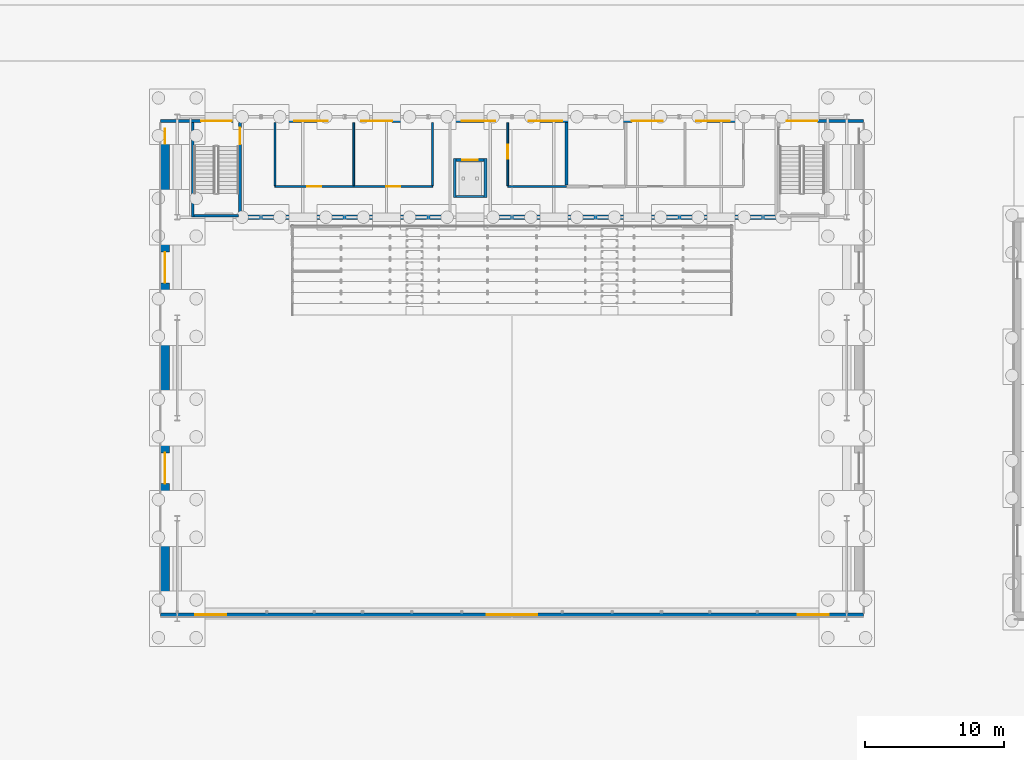
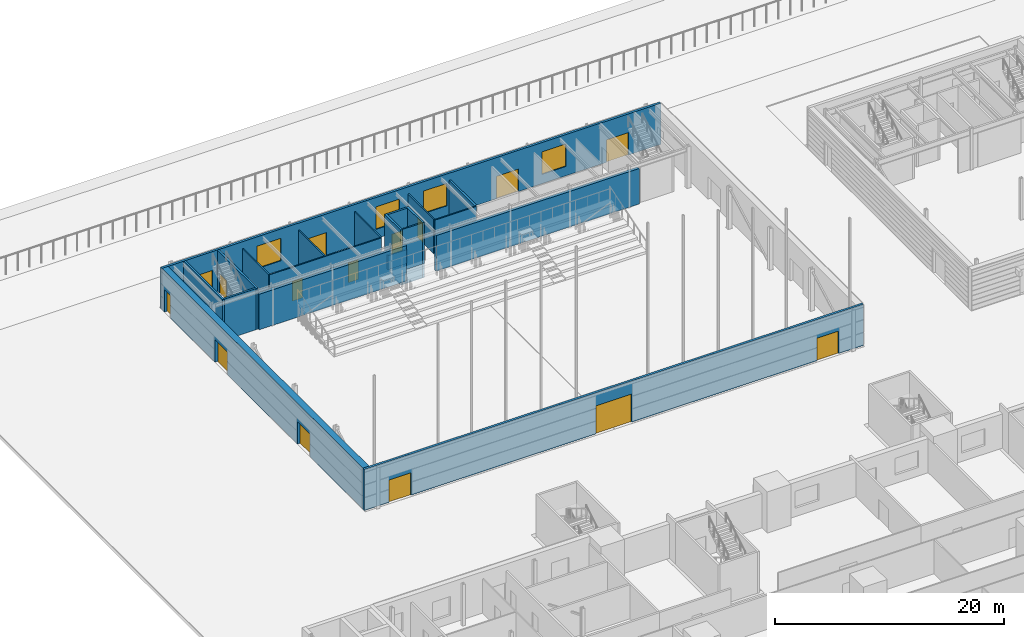
# One storey, part 85 of 139: 23 walls, 15 doors, 4 windows, 19 openings.
"""IFC4 building model written with IfcOpenShell, lengths in metres."""

from ifc_helpers import new_model, si_unit, direction, frame, frame_2d, origin, place, context, subcontext, project, spatial, rectangle, extrude, material, layer, layer_set, type_object, element, fill, save


model = new_model("IFC4")

# Units and contexts
model_context = context("Model", 3, precision=1e-05, world=origin(), true_north=direction((0.0, 1.0)))
body_context = subcontext(model_context, "Body", "Model", "MODEL_VIEW")
ifc_project = project(units=[si_unit("LENGTHUNIT", "METRE"), si_unit("AREAUNIT", "SQUARE_METRE"), si_unit("VOLUMEUNIT", "CUBIC_METRE"), si_unit("PLANEANGLEUNIT", "RADIAN"), si_unit("MASSUNIT", "GRAM", prefix="KILO")], contexts=[model_context])

# Site, building, storey
site_placement = place(None, origin())
site = spatial("IfcSite", under=ifc_project, at=site_placement, CompositionType="ELEMENT")
building_placement = place(site_placement, origin())
building = spatial("IfcBuilding", under=site, at=building_placement, Name="Verrick Yard Athletic Hall", CompositionType="ELEMENT")
storey_placement = place(building_placement, origin())
storey = spatial("IfcBuildingStorey", under=building, at=storey_placement, Name="L00", CompositionType="ELEMENT", Elevation=0.0)

# Wall
ifc_material_1 = material(Name="Concrete 35 MPa", Category="concrete")
ifc_layer_1 = layer(ifc_material_1, 0.199951171875)
ifc_layer_set_1 = layer_set([ifc_layer_1], Name="Enclosure wall CR200")
wall_type_1 = type_object("IfcWallType", Name="Enclosure wall CR200", PredefinedType="SOLIDWALL", material=ifc_layer_set_1)
wall_1_placement = place(storey_placement, frame((29.10009765625, 100.800048828125, 0.0), z_axis=(0.0, 0.0, 1.0), x_axis=(0.0, 1.0, 0.0)))
element("IfcWall", 1, at=wall_1_placement, inside=storey, type_object=wall_type_1, Name="CORE-HB-W-WW-L00", PredefinedType="SOLIDWALL", context=body_context, shape_type="SweptSolid", body=[
    extrude(rectangle(XDim=6.782958984375, YDim=0.199951171875, at=frame_2d((3.3916015625, 0.0))), origin(), (0.0, 0.0, 1.0), 4.39990234375),
])

# Wall, opening, door
wall_2_placement = place(storey_placement, frame((32.5, 100.800048828125, 0.0), z_axis=(0.0, 0.0, 1.0), x_axis=(0.0, 1.0, 0.0)))
wall_2 = element("IfcWall", 2, at=wall_2_placement, inside=storey, type_object=wall_type_1, Name="CORE-HB-W-WE-L00", PredefinedType="SOLIDWALL", context=body_context, shape_type="SweptSolid", body=[
    extrude(rectangle(XDim=6.782958984375, YDim=0.199951171875, at=frame_2d((3.3916015625, 0.0))), origin(), (0.0, 0.0, 1.0), 4.39990234375),
])
opening_1_placement = place(wall_2_placement, frame((5.22509765625, 0.0, 0.0)))
opening_1 = element("IfcOpeningElement", 3, at=opening_1_placement, cuts=wall_2, Name="Opening SD1", PredefinedType="OPENING", context=body_context, shape_type="SweptSolid", body=[
    extrude(rectangle(XDim=1.199951171875, YDim=2.10009765625, at=frame_2d((0.60009765625, 1.050048828125))), frame((0.0, 0.10986328125, 0.0), z_axis=(0.0, -1.0, 0.0), x_axis=(1.0, 0.0, 0.0)), (0.0, 0.0, 1.0), 0.219970703125),
])
ifc_material_2 = material(Name="Hollow metal door leaf")
door_type_1 = type_object("IfcDoorType", Name="Core door SD1 1200x2100", OperationType="NOTDEFINED", PredefinedType="DOOR", material=ifc_material_2)
door_1_placement = place(opening_1_placement, origin())
door_1 = element("IfcDoor", 4, at=door_1_placement, inside=storey, type_object=door_type_1, Name="CORE-HB-W-WE-L00-DSD1-10662", OperationType="SINGLE_SWING_LEFT", OverallHeight=2.10009765625, OverallWidth=1.199951171875, PredefinedType="DOOR", context=body_context, shape_type="SweptSolid", body=[
    extrude(rectangle(XDim=1.199951171875, YDim=2.10009765625, at=frame_2d((0.60009765625, 1.050048828125))), frame((0.0, 0.02490234375, 0.0), z_axis=(0.0, -1.0, 0.0), x_axis=(1.0, 0.0, 0.0)), (0.0, 0.0, 1.0), 0.050048828125),
])
fill(opening_1, door_1)

# Walls
wall_3_placement = place(storey_placement, frame((29.199951171875, 100.89990234375, 0.0), z_axis=(0.0, 0.0, 1.0), x_axis=(1.0, 0.0, 0.0)))
element("IfcWall", 5, at=wall_3_placement, inside=storey, type_object=wall_type_1, Name="CORE-HB-W-WS-L00", PredefinedType="SOLIDWALL", context=body_context, shape_type="SweptSolid", body=[
    extrude(rectangle(XDim=3.199951171875, YDim=0.199951171875, at=frame_2d((1.60009765625, 0.0))), origin(), (0.0, 0.0, 1.0), 4.39990234375),
])
for number, where, z_axis, x_axis, name in (
    (6, (47.89990234375, 102.199951171875, -1.5), (0.0, 0.0, 1.0), (0.0, 1.0, 0.0), "CORE-LF-HB-PWW"),
    (7, (50.10009765625, 102.199951171875, -1.5), (0.0, 0.0, 1.0), (0.0, 1.0, 0.0), "CORE-LF-HB-PWE"),
):
    element("IfcWall", number, at=place(storey_placement, frame(where, z_axis=z_axis, x_axis=x_axis)), inside=storey, type_object=wall_type_1, Name=name, PredefinedType="SOLIDWALL", context=body_context, shape_type="SweptSolid", body=[
        extrude(rectangle(XDim=2.800048828125, YDim=0.199951171875, at=frame_2d((1.39990234375, 0.0))), origin(), (0.0, 0.0, 1.0), 1.5),
    ])
wall_4_placement = place(storey_placement, frame((48.0, 104.89990234375, -1.5), z_axis=(0.0, 0.0, 1.0), x_axis=(1.0, 0.0, 0.0)))
element("IfcWall", 8, at=wall_4_placement, inside=storey, type_object=wall_type_1, Name="CORE-LF-HB-PWN", PredefinedType="SOLIDWALL", context=body_context, shape_type="SweptSolid", body=[
    extrude(rectangle(XDim=2.0, YDim=0.199951171875, at=frame_2d((1.0, 0.0))), origin(), (0.0, 0.0, 1.0), 1.5),
])
for number, where, z_axis, x_axis, name in (
    (9, (47.89990234375, 102.199951171875, 0.0), (0.0, 0.0, 1.0), (0.0, 1.0, 0.0), "CORE-LF-HB-WW-L00"),
    (10, (50.10009765625, 102.199951171875, 0.0), (0.0, 0.0, 1.0), (0.0, 1.0, 0.0), "CORE-LF-HB-WE-L00"),
):
    element("IfcWall", number, at=place(storey_placement, frame(where, z_axis=z_axis, x_axis=x_axis)), inside=storey, type_object=wall_type_1, Name=name, PredefinedType="SOLIDWALL", context=body_context, shape_type="SweptSolid", body=[
        extrude(rectangle(XDim=2.800048828125, YDim=0.199951171875, at=frame_2d((1.39990234375, 0.0))), origin(), (0.0, 0.0, 1.0), 4.39990234375),
    ])

# Wall, opening, door
wall_5_placement = place(storey_placement, frame((48.0, 104.89990234375, 0.0), z_axis=(0.0, 0.0, 1.0), x_axis=(1.0, 0.0, 0.0)))
wall_5 = element("IfcWall", 11, at=wall_5_placement, inside=storey, type_object=wall_type_1, Name="CORE-LF-HB-WN-L00", PredefinedType="SOLIDWALL", context=body_context, shape_type="SweptSolid", body=[
    extrude(rectangle(XDim=2.0, YDim=0.199951171875, at=frame_2d((1.0, 0.0))), origin(), (0.0, 0.0, 1.0), 4.39990234375),
])
opening_2_placement = place(wall_5_placement, frame((0.449951171875, 0.0, 0.0)))
opening_2 = element("IfcOpeningElement", 12, at=opening_2_placement, cuts=wall_5, Name="Opening LD", PredefinedType="OPENING", context=body_context, shape_type="SweptSolid", body=[
    extrude(rectangle(XDim=1.10009765625, YDim=2.10009765625, at=frame_2d((0.550048828125, 1.050048828125))), frame((0.0, 0.10986328125, 0.0), z_axis=(0.0, -1.0, 0.0), x_axis=(1.0, 0.0, 0.0)), (0.0, 0.0, 1.0), 0.219970703125),
])
ifc_material_3 = material(Name="Stainless steel landing door", Category="steel")
door_type_2 = type_object("IfcDoorType", Name="Lift landing door LD 1100x2100", OperationType="NOTDEFINED", PredefinedType="DOOR", material=ifc_material_3)
door_2_placement = place(opening_2_placement, origin())
door_2 = element("IfcDoor", 13, at=door_2_placement, inside=storey, type_object=door_type_2, Name="Lift landing door", OperationType="SLIDING_TO_RIGHT", OverallHeight=2.10009765625, OverallWidth=1.10009765625, PredefinedType="DOOR", context=body_context, shape_type="SweptSolid", body=[
    extrude(rectangle(XDim=1.10009765625, YDim=2.10009765625, at=frame_2d((0.550048828125, 1.050048828125))), frame((0.0, 0.02490234375, 0.0), z_axis=(0.0, -1.0, 0.0), x_axis=(1.0, 0.0, 0.0)), (0.0, 0.0, 1.0), 0.050048828125),
])
fill(opening_2, door_2)

# Wall, openings, doors
ifc_material_4 = material(Name="Tyndall-stone-look precast cladding", Category="masonry")
ifc_layer_2 = layer(ifc_material_4, 0.0625, Name="Tyndall-stone-look precast cladding")
ifc_material_5 = material(Name="Mineral wool insulation")
ifc_layer_3 = layer(ifc_material_5, 0.0625, Name="Mineral wool insulation")
ifc_layer_4 = layer(ifc_material_1, 0.25, Name="Concrete 35 MPa")
ifc_layer_set_2 = layer_set([ifc_layer_2, ifc_layer_3, ifc_layer_4], Name="Gable base wall")
wall_type_2 = type_object("IfcWallType", Name="Gable base wall", PredefinedType="SOLIDWALL", material=ifc_layer_set_2)
wall_6_placement = place(storey_placement, frame((26.800048828125, 72.30126953125, 0.0), z_axis=(0.0, 0.0, 1.0), x_axis=(1.0, 0.0, 0.0)))
wall_6 = element("IfcWall", 14, at=wall_6_placement, inside=storey, type_object=wall_type_2, Name="ENVB-HB-S-L00", PredefinedType="SOLIDWALL", context=body_context, shape_type="SweptSolid", body=[
    extrude(rectangle(XDim=50.39990234375, YDim=0.234375, at=frame_2d((25.199951171875, 0.0))), origin(), (0.0, 0.0, 1.0), 4.39990234375),
])
opening_3_placement = place(wall_6_placement, frame((23.39990234375, 0.0, 0.0)))
opening_3 = element("IfcOpeningElement", 15, at=opening_3_placement, cuts=wall_6, Name="Opening ED25", PredefinedType="OPENING", context=body_context, shape_type="SweptSolid", body=[
    extrude(rectangle(XDim=3.60009765625, YDim=3.0, at=frame_2d((1.800048828125, 1.5))), frame((0.0, 0.127197265625, 0.0), z_axis=(0.0, -1.0, 0.0), x_axis=(1.0, 0.0, 0.0)), (0.0, 0.0, 1.0), 0.25439453125),
])
opening_4_placement = place(wall_6_placement, frame((2.5, 0.0, 0.0)))
opening_4 = element("IfcOpeningElement", 16, at=opening_4_placement, cuts=wall_6, Name="Opening ED23", PredefinedType="OPENING", context=body_context, shape_type="SweptSolid", body=[
    extrude(rectangle(XDim=2.199951171875, YDim=2.39990234375, at=frame_2d((1.10009765625, 1.199951171875))), frame((0.0, 0.127197265625, 0.0), z_axis=(0.0, -1.0, 0.0), x_axis=(1.0, 0.0, 0.0)), (0.0, 0.0, 1.0), 0.25439453125),
])
opening_5_placement = place(wall_6_placement, frame((45.699951171875, 0.0, 0.0)))
opening_5 = element("IfcOpeningElement", 17, at=opening_5_placement, cuts=wall_6, Name="Opening ED23", PredefinedType="OPENING", context=body_context, shape_type="SweptSolid", body=[
    extrude(rectangle(XDim=2.199951171875, YDim=2.39990234375, at=frame_2d((1.10009765625, 1.199951171875))), frame((0.0, 0.127197265625, 0.0), z_axis=(0.0, -1.0, 0.0), x_axis=(1.0, 0.0, 0.0)), (0.0, 0.0, 1.0), 0.25439453125),
])
ifc_material_6 = material(Name="Powder-coated aluminium door leaf", Category="aluminium")
door_type_3 = type_object("IfcDoorType", Name="Exterior double door 2200", OperationType="NOTDEFINED", PredefinedType="DOOR", material=ifc_material_6)
door_3_placement = place(opening_4_placement, origin())
door_3 = element("IfcDoor", 18, at=door_3_placement, inside=storey, type_object=door_type_3, Name="Hall exit door BS1", OperationType="DOUBLE_DOOR_SINGLE_SWING", OverallHeight=2.39990234375, OverallWidth=2.199951171875, PredefinedType="DOOR", context=body_context, shape_type="SweptSolid", body=[
    extrude(rectangle(XDim=2.199951171875, YDim=2.39990234375, at=frame_2d((1.10009765625, 1.199951171875))), frame((0.0, 0.02490234375, 0.0), z_axis=(0.0, -1.0, 0.0), x_axis=(1.0, 0.0, 0.0)), (0.0, 0.0, 1.0), 0.050048828125),
])
fill(opening_4, door_3)
door_4_placement = place(opening_5_placement, origin())
door_4 = element("IfcDoor", 19, at=door_4_placement, inside=storey, type_object=door_type_3, Name="Hall exit door BS2", OperationType="DOUBLE_DOOR_SINGLE_SWING", OverallHeight=2.39990234375, OverallWidth=2.199951171875, PredefinedType="DOOR", context=body_context, shape_type="SweptSolid", body=[
    extrude(rectangle(XDim=2.199951171875, YDim=2.39990234375, at=frame_2d((1.10009765625, 1.199951171875))), frame((0.0, 0.02490234375, 0.0), z_axis=(0.0, -1.0, 0.0), x_axis=(1.0, 0.0, 0.0)), (0.0, 0.0, 1.0), 0.050048828125),
])
fill(opening_5, door_4)
ifc_material_7 = material(Name="Anodised aluminium glazed door leaf", Category="aluminium")
door_type_4 = type_object("IfcDoorType", Name="Exterior hall entrance door 3600", OperationType="NOTDEFINED", PredefinedType="DOOR", material=ifc_material_7)
door_5_placement = place(opening_3_placement, origin())
door_5 = element("IfcDoor", 20, at=door_5_placement, inside=storey, type_object=door_type_4, Name="Hall entrance E5", OperationType="DOUBLE_DOOR_SLIDING", OverallHeight=3.0, OverallWidth=3.60009765625, PredefinedType="DOOR", context=body_context, shape_type="SweptSolid", body=[
    extrude(rectangle(XDim=3.60009765625, YDim=3.0, at=frame_2d((1.800048828125, 1.5))), frame((0.0, 0.02490234375, 0.0), z_axis=(0.0, -1.0, 0.0), x_axis=(1.0, 0.0, 0.0)), (0.0, 0.0, 1.0), 0.050048828125),
])
fill(opening_3, door_5)

# Wall, openings, doors, windows
wall_7_placement = place(storey_placement, frame((26.800048828125, 107.69873046875, 0.0), z_axis=(0.0, 0.0, 1.0), x_axis=(1.0, 0.0, 0.0)))
wall_7 = element("IfcWall", 21, at=wall_7_placement, inside=storey, type_object=wall_type_2, Name="ENVB-HB-N-L00", PredefinedType="SOLIDWALL", context=body_context, shape_type="SweptSolid", body=[
    extrude(rectangle(XDim=50.39990234375, YDim=0.234375, at=frame_2d((25.199951171875, 0.0))), origin(), (0.0, 0.0, 1.0), 4.39990234375),
])
opening_6_placement = place(wall_7_placement, frame((9.60009765625, 0.0, 1.0)))
opening_6 = element("IfcOpeningElement", 22, at=opening_6_placement, cuts=wall_7, Name="Opening W25", PredefinedType="OPENING", context=body_context, shape_type="SweptSolid", body=[
    extrude(rectangle(XDim=2.39990234375, YDim=2.39990234375, at=frame_2d((1.199951171875, 1.199951171875))), frame((0.0, 0.127197265625, 0.0), z_axis=(0.0, -1.0, 0.0), x_axis=(1.0, 0.0, 0.0)), (0.0, 0.0, 1.0), 0.25439453125),
])
opening_7_placement = place(wall_7_placement, frame((21.60009765625, 0.0, 1.0)))
opening_7 = element("IfcOpeningElement", 23, at=opening_7_placement, cuts=wall_7, Name="Opening W25", PredefinedType="OPENING", context=body_context, shape_type="SweptSolid", body=[
    extrude(rectangle(XDim=2.39990234375, YDim=2.39990234375, at=frame_2d((1.199951171875, 1.199951171875))), frame((0.0, 0.127197265625, 0.0), z_axis=(0.0, -1.0, 0.0), x_axis=(1.0, 0.0, 0.0)), (0.0, 0.0, 1.0), 0.25439453125),
])
opening_8_placement = place(wall_7_placement, frame((26.39990234375, 0.0, 1.0)))
opening_8 = element("IfcOpeningElement", 24, at=opening_8_placement, cuts=wall_7, Name="Opening W25", PredefinedType="OPENING", context=body_context, shape_type="SweptSolid", body=[
    extrude(rectangle(XDim=2.39990234375, YDim=2.39990234375, at=frame_2d((1.199951171875, 1.199951171875))), frame((0.0, 0.127197265625, 0.0), z_axis=(0.0, -1.0, 0.0), x_axis=(1.0, 0.0, 0.0)), (0.0, 0.0, 1.0), 0.25439453125),
])
opening_9_placement = place(wall_7_placement, frame((38.39990234375, 0.0, 1.0)))
opening_9 = element("IfcOpeningElement", 25, at=opening_9_placement, cuts=wall_7, Name="Opening W25", PredefinedType="OPENING", context=body_context, shape_type="SweptSolid", body=[
    extrude(rectangle(XDim=2.39990234375, YDim=2.39990234375, at=frame_2d((1.199951171875, 1.199951171875))), frame((0.0, 0.127197265625, 0.0), z_axis=(0.0, -1.0, 0.0), x_axis=(1.0, 0.0, 0.0)), (0.0, 0.0, 1.0), 0.25439453125),
])
opening_10_placement = place(wall_7_placement, frame((14.39990234375, 0.0, 0.0)))
opening_10 = element("IfcOpeningElement", 26, at=opening_10_placement, cuts=wall_7, Name="Opening ED23", PredefinedType="OPENING", context=body_context, shape_type="SweptSolid", body=[
    extrude(rectangle(XDim=2.199951171875, YDim=2.39990234375, at=frame_2d((1.10009765625, 1.199951171875))), frame((0.0, 0.127197265625, 0.0), z_axis=(0.0, -1.0, 0.0), x_axis=(1.0, 0.0, 0.0)), (0.0, 0.0, 1.0), 0.25439453125),
])
opening_11_placement = place(wall_7_placement, frame((33.800048828125, 0.0, 0.0)))
opening_11 = element("IfcOpeningElement", 27, at=opening_11_placement, cuts=wall_7, Name="Opening ED23", PredefinedType="OPENING", context=body_context, shape_type="SweptSolid", body=[
    extrude(rectangle(XDim=2.199951171875, YDim=2.39990234375, at=frame_2d((1.10009765625, 1.199951171875))), frame((0.0, 0.127197265625, 0.0), z_axis=(0.0, -1.0, 0.0), x_axis=(1.0, 0.0, 0.0)), (0.0, 0.0, 1.0), 0.25439453125),
])
opening_12_placement = place(wall_7_placement, frame((2.89990234375, 0.0, 0.0)))
opening_12 = element("IfcOpeningElement", 28, at=opening_12_placement, cuts=wall_7, Name="Opening ED23", PredefinedType="OPENING", context=body_context, shape_type="SweptSolid", body=[
    extrude(rectangle(XDim=2.199951171875, YDim=2.39990234375, at=frame_2d((1.10009765625, 1.199951171875))), frame((0.0, 0.127197265625, 0.0), z_axis=(0.0, -1.0, 0.0), x_axis=(1.0, 0.0, 0.0)), (0.0, 0.0, 1.0), 0.25439453125),
])
opening_13_placement = place(wall_7_placement, frame((44.89990234375, 0.0, 0.0)))
opening_13 = element("IfcOpeningElement", 29, at=opening_13_placement, cuts=wall_7, Name="Opening ED23", PredefinedType="OPENING", context=body_context, shape_type="SweptSolid", body=[
    extrude(rectangle(XDim=2.199951171875, YDim=2.39990234375, at=frame_2d((1.10009765625, 1.199951171875))), frame((0.0, 0.127197265625, 0.0), z_axis=(0.0, -1.0, 0.0), x_axis=(1.0, 0.0, 0.0)), (0.0, 0.0, 1.0), 0.25439453125),
])
door_6_placement = place(opening_10_placement, origin())
door_6 = element("IfcDoor", 30, at=door_6_placement, inside=storey, type_object=door_type_3, Name="Hall exit door BN1", OperationType="DOUBLE_DOOR_SINGLE_SWING", OverallHeight=2.39990234375, OverallWidth=2.199951171875, PredefinedType="DOOR", context=body_context, shape_type="SweptSolid", body=[
    extrude(rectangle(XDim=2.199951171875, YDim=2.39990234375, at=frame_2d((1.10009765625, 1.199951171875))), frame((0.0, 0.02490234375, 0.0), z_axis=(0.0, -1.0, 0.0), x_axis=(1.0, 0.0, 0.0)), (0.0, 0.0, 1.0), 0.050048828125),
])
fill(opening_10, door_6)
door_7_placement = place(opening_11_placement, origin())
door_7 = element("IfcDoor", 31, at=door_7_placement, inside=storey, type_object=door_type_3, Name="Hall exit door BN2", OperationType="DOUBLE_DOOR_SINGLE_SWING", OverallHeight=2.39990234375, OverallWidth=2.199951171875, PredefinedType="DOOR", context=body_context, shape_type="SweptSolid", body=[
    extrude(rectangle(XDim=2.199951171875, YDim=2.39990234375, at=frame_2d((1.10009765625, 1.199951171875))), frame((0.0, 0.02490234375, 0.0), z_axis=(0.0, -1.0, 0.0), x_axis=(1.0, 0.0, 0.0)), (0.0, 0.0, 1.0), 0.050048828125),
])
fill(opening_11, door_7)
door_8_placement = place(opening_12_placement, origin())
door_8 = element("IfcDoor", 32, at=door_8_placement, inside=storey, type_object=door_type_3, Name="Band stair north exit door BW", OperationType="DOUBLE_DOOR_SINGLE_SWING", OverallHeight=2.39990234375, OverallWidth=2.199951171875, PredefinedType="DOOR", context=body_context, shape_type="SweptSolid", body=[
    extrude(rectangle(XDim=2.199951171875, YDim=2.39990234375, at=frame_2d((1.10009765625, 1.199951171875))), frame((0.0, 0.02490234375, 0.0), z_axis=(0.0, -1.0, 0.0), x_axis=(1.0, 0.0, 0.0)), (0.0, 0.0, 1.0), 0.050048828125),
])
fill(opening_12, door_8)
door_9_placement = place(opening_13_placement, origin())
door_9 = element("IfcDoor", 33, at=door_9_placement, inside=storey, type_object=door_type_3, Name="Band stair north exit door BE", OperationType="DOUBLE_DOOR_SINGLE_SWING", OverallHeight=2.39990234375, OverallWidth=2.199951171875, PredefinedType="DOOR", context=body_context, shape_type="SweptSolid", body=[
    extrude(rectangle(XDim=2.199951171875, YDim=2.39990234375, at=frame_2d((1.10009765625, 1.199951171875))), frame((0.0, 0.02490234375, 0.0), z_axis=(0.0, -1.0, 0.0), x_axis=(1.0, 0.0, 0.0)), (0.0, 0.0, 1.0), 0.050048828125),
])
fill(opening_13, door_9)
ifc_material_8 = material(Name="Anodised aluminium frame with insulated glazing", Category="aluminium")
window_type = type_object("IfcWindowType", Name="Hall window 2400x2400", PartitioningType="NOTDEFINED", PredefinedType="WINDOW", material=ifc_material_8)
window_1_placement = place(opening_6_placement, origin())
window_1 = element("IfcWindow", 34, at=window_1_placement, inside=storey, type_object=window_type, Name="ENVB-HB-N-L00-W2", OverallHeight=2.39990234375, OverallWidth=2.39990234375, PartitioningType="SINGLE_PANEL", PredefinedType="WINDOW", context=body_context, shape_type="SweptSolid", body=[
    extrude(rectangle(XDim=2.39990234375, YDim=2.39990234375, at=frame_2d((1.199951171875, 1.199951171875))), frame((0.0, 0.030029296875, 0.0), z_axis=(0.0, -1.0, 0.0), x_axis=(1.0, 0.0, 0.0)), (0.0, 0.0, 1.0), 0.06005859375),
])
fill(opening_6, window_1)
window_2_placement = place(opening_7_placement, origin())
window_2 = element("IfcWindow", 35, at=window_2_placement, inside=storey, type_object=window_type, Name="ENVB-HB-N-L00-W3", OverallHeight=2.39990234375, OverallWidth=2.39990234375, PartitioningType="SINGLE_PANEL", PredefinedType="WINDOW", context=body_context, shape_type="SweptSolid", body=[
    extrude(rectangle(XDim=2.39990234375, YDim=2.39990234375, at=frame_2d((1.199951171875, 1.199951171875))), frame((0.0, 0.030029296875, 0.0), z_axis=(0.0, -1.0, 0.0), x_axis=(1.0, 0.0, 0.0)), (0.0, 0.0, 1.0), 0.06005859375),
])
fill(opening_7, window_2)
window_3_placement = place(opening_8_placement, origin())
window_3 = element("IfcWindow", 36, at=window_3_placement, inside=storey, type_object=window_type, Name="ENVB-HB-N-L00-W4", OverallHeight=2.39990234375, OverallWidth=2.39990234375, PartitioningType="SINGLE_PANEL", PredefinedType="WINDOW", context=body_context, shape_type="SweptSolid", body=[
    extrude(rectangle(XDim=2.39990234375, YDim=2.39990234375, at=frame_2d((1.199951171875, 1.199951171875))), frame((0.0, 0.030029296875, 0.0), z_axis=(0.0, -1.0, 0.0), x_axis=(1.0, 0.0, 0.0)), (0.0, 0.0, 1.0), 0.06005859375),
])
fill(opening_8, window_3)
window_4_placement = place(opening_9_placement, origin())
window_4 = element("IfcWindow", 37, at=window_4_placement, inside=storey, type_object=window_type, Name="ENVB-HB-N-L00-W5", OverallHeight=2.39990234375, OverallWidth=2.39990234375, PartitioningType="SINGLE_PANEL", PredefinedType="WINDOW", context=body_context, shape_type="SweptSolid", body=[
    extrude(rectangle(XDim=2.39990234375, YDim=2.39990234375, at=frame_2d((1.199951171875, 1.199951171875))), frame((0.0, 0.030029296875, 0.0), z_axis=(0.0, -1.0, 0.0), x_axis=(1.0, 0.0, 0.0)), (0.0, 0.0, 1.0), 0.06005859375),
])
fill(opening_9, window_4)

# Wall, openings, doors
ifc_layer_5 = layer(ifc_material_4, 0.125, Name="Tyndall-stone-look precast cladding")
ifc_layer_6 = layer(ifc_material_5, 0.25, Name="Mineral wool insulation")
ifc_layer_7 = layer(ifc_material_1, 0.25, Name="Concrete 35 MPa")
ifc_layer_set_3 = layer_set([ifc_layer_5, ifc_layer_6, ifc_layer_7], Name="Hall base wall")
wall_type_3 = type_object("IfcWallType", Name="Hall base wall", PredefinedType="SOLIDWALL", material=ifc_layer_set_3)
wall_8_placement = place(storey_placement, frame((27.112548828125, 72.41845703125, 0.0), z_axis=(0.0, 0.0, 1.0), x_axis=(0.0, 1.0, 0.0)))
wall_8 = element("IfcWall", 38, at=wall_8_placement, inside=storey, type_object=wall_type_3, Name="ENVB-HB-W-L00", PredefinedType="SOLIDWALL", context=body_context, shape_type="SweptSolid", body=[
    extrude(rectangle(XDim=35.1630859375, YDim=0.625, at=frame_2d((17.58154296875, 0.0))), origin(), (0.0, 0.0, 1.0), 4.39990234375),
])
opening_14_placement = place(wall_8_placement, frame((9.282470703125, 0.0, 0.0)))
opening_14 = element("IfcOpeningElement", 39, at=opening_14_placement, cuts=wall_8, Name="Opening ED23", PredefinedType="OPENING", context=body_context, shape_type="SweptSolid", body=[
    extrude(rectangle(XDim=2.199951171875, YDim=2.39990234375, at=frame_2d((1.10009765625, 1.199951171875))), frame((0.0, 0.322509765625, 0.0), z_axis=(0.0, -1.0, 0.0), x_axis=(1.0, 0.0, 0.0)), (0.0, 0.0, 1.0), 0.64501953125),
])
opening_15_placement = place(wall_8_placement, frame((23.6826171875, 0.0, 0.0)))
opening_15 = element("IfcOpeningElement", 40, at=opening_15_placement, cuts=wall_8, Name="Opening ED23", PredefinedType="OPENING", context=body_context, shape_type="SweptSolid", body=[
    extrude(rectangle(XDim=2.199951171875, YDim=2.39990234375, at=frame_2d((1.10009765625, 1.199951171875))), frame((0.0, 0.322509765625, 0.0), z_axis=(0.0, -1.0, 0.0), x_axis=(1.0, 0.0, 0.0)), (0.0, 0.0, 1.0), 0.64501953125),
])
opening_16_placement = place(wall_8_placement, frame((33.632568359375, 0.0, 0.0)))
opening_16 = element("IfcOpeningElement", 41, at=opening_16_placement, cuts=wall_8, Name="Opening ED22", PredefinedType="OPENING", context=body_context, shape_type="SweptSolid", body=[
    extrude(rectangle(XDim=1.10009765625, YDim=2.39990234375, at=frame_2d((0.550048828125, 1.199951171875))), frame((0.0, 0.322509765625, 0.0), z_axis=(0.0, -1.0, 0.0), x_axis=(1.0, 0.0, 0.0)), (0.0, 0.0, 1.0), 0.64501953125),
])
door_10_placement = place(opening_14_placement, origin())
door_10 = element("IfcDoor", 42, at=door_10_placement, inside=storey, type_object=door_type_3, Name="Hall exit door BW1", OperationType="DOUBLE_DOOR_SINGLE_SWING", OverallHeight=2.39990234375, OverallWidth=2.199951171875, PredefinedType="DOOR", context=body_context, shape_type="SweptSolid", body=[
    extrude(rectangle(XDim=2.199951171875, YDim=2.39990234375, at=frame_2d((1.10009765625, 1.199951171875))), frame((0.0, 0.02490234375, 0.0), z_axis=(0.0, -1.0, 0.0), x_axis=(1.0, 0.0, 0.0)), (0.0, 0.0, 1.0), 0.050048828125),
])
fill(opening_14, door_10)
door_11_placement = place(opening_15_placement, origin())
door_11 = element("IfcDoor", 43, at=door_11_placement, inside=storey, type_object=door_type_3, Name="Hall exit door BW2", OperationType="DOUBLE_DOOR_SINGLE_SWING", OverallHeight=2.39990234375, OverallWidth=2.199951171875, PredefinedType="DOOR", context=body_context, shape_type="SweptSolid", body=[
    extrude(rectangle(XDim=2.199951171875, YDim=2.39990234375, at=frame_2d((1.10009765625, 1.199951171875))), frame((0.0, 0.02490234375, 0.0), z_axis=(0.0, -1.0, 0.0), x_axis=(1.0, 0.0, 0.0)), (0.0, 0.0, 1.0), 0.050048828125),
])
fill(opening_15, door_11)
door_type_5 = type_object("IfcDoorType", Name="Exterior single door 1100", OperationType="NOTDEFINED", PredefinedType="DOOR", material=ifc_material_6)
door_12_placement = place(opening_16_placement, origin())
door_12 = element("IfcDoor", 44, at=door_12_placement, inside=storey, type_object=door_type_5, Name="Band stair exit door BW", OperationType="SINGLE_SWING_LEFT", OverallHeight=2.39990234375, OverallWidth=1.10009765625, PredefinedType="DOOR", context=body_context, shape_type="SweptSolid", body=[
    extrude(rectangle(XDim=1.10009765625, YDim=2.39990234375, at=frame_2d((0.550048828125, 1.199951171875))), frame((0.0, 0.02490234375, 0.0), z_axis=(0.0, -1.0, 0.0), x_axis=(1.0, 0.0, 0.0)), (0.0, 0.0, 1.0), 0.050048828125),
])
fill(opening_16, door_12)

# Wall
ifc_material_9 = material(Name="Concrete masonry block 15 MPa", Category="masonry")
ifc_layer_8 = layer(ifc_material_9, 0.199951171875)
ifc_layer_set_4 = layer_set([ifc_layer_8], Name="PW1 Block partition 200")
wall_type_4 = type_object("IfcWallType", Name="PW1 Block partition 200", PredefinedType="PARTITIONING", material=ifc_layer_set_4)
wall_9_placement = place(storey_placement, frame((55.89990234375, 103.10009765625, 0.0), z_axis=(0.0, 0.0, 1.0), x_axis=(0.0, 1.0, 0.0)))
element("IfcWall", 45, at=wall_9_placement, inside=storey, type_object=wall_type_4, Name="Partition PW1", PredefinedType="PARTITIONING", context=body_context, shape_type="SweptSolid", body=[
    extrude(rectangle(XDim=4.491455078125, YDim=0.199951171875, at=frame_2d((2.24560546875, 0.0))), origin(), (0.0, 0.0, 1.0), 3.64990234375),
])

# Wall, openings, doors
ifc_material_10 = material(Name="Gypsum plasterboard on light-gauge studs")
ifc_layer_9 = layer(ifc_material_10, 0.125)
ifc_layer_set_5 = layer_set([ifc_layer_9], Name="PW2 Stud partition 125")
wall_type_5 = type_object("IfcWallType", Name="PW2 Stud partition 125", PredefinedType="PARTITIONING", material=ifc_layer_set_5)
wall_10_placement = place(storey_placement, frame((35.0, 103.0, 0.0), z_axis=(0.0, 0.0, 1.0), x_axis=(1.0, 0.0, 0.0)))
wall_10 = element("IfcWall", 46, at=wall_10_placement, inside=storey, type_object=wall_type_5, Name="Partition PW2", PredefinedType="PARTITIONING", context=body_context, shape_type="SweptSolid", body=[
    extrude(rectangle(XDim=11.300048828125, YDim=0.125, at=frame_2d((5.64990234375, 0.0))), origin(), (0.0, 0.0, 1.0), 3.64990234375),
])
opening_17_placement = place(wall_10_placement, frame((2.324951171875, 0.0, 0.0)))
opening_17 = element("IfcOpeningElement", 47, at=opening_17_placement, cuts=wall_10, Name="Opening D1", PredefinedType="OPENING", context=body_context, shape_type="SweptSolid", body=[
    extrude(rectangle(XDim=1.0, YDim=2.10009765625, at=frame_2d((0.5, 1.050048828125))), frame((0.0, 0.072509765625, 0.0), z_axis=(0.0, -1.0, 0.0), x_axis=(1.0, 0.0, 0.0)), (0.0, 0.0, 1.0), 0.14501953125),
])
opening_18_placement = place(wall_10_placement, frame((7.97509765625, 0.0, 0.0)))
opening_18 = element("IfcOpeningElement", 48, at=opening_18_placement, cuts=wall_10, Name="Opening D1", PredefinedType="OPENING", context=body_context, shape_type="SweptSolid", body=[
    extrude(rectangle(XDim=1.0, YDim=2.10009765625, at=frame_2d((0.5, 1.050048828125))), frame((0.0, 0.072509765625, 0.0), z_axis=(0.0, -1.0, 0.0), x_axis=(1.0, 0.0, 0.0)), (0.0, 0.0, 1.0), 0.14501953125),
])
ifc_material_11 = material(Name="Timber door leaf in steel frame", Category="steel")
door_type_6 = type_object("IfcDoorType", Name="D1 Single door 1000 x 2100", OperationType="NOTDEFINED", PredefinedType="DOOR", material=ifc_material_11)
door_13_placement = place(opening_17_placement, origin())
door_13 = element("IfcDoor", 49, at=door_13_placement, inside=storey, type_object=door_type_6, Name="D1 Officials Room B", OperationType="SINGLE_SWING_RIGHT", OverallHeight=2.10009765625, OverallWidth=1.0, PredefinedType="DOOR", context=body_context, shape_type="SweptSolid", body=[
    extrude(rectangle(XDim=1.0, YDim=2.10009765625, at=frame_2d((0.5, 1.050048828125))), frame((0.0, 0.02490234375, 0.0), z_axis=(0.0, -1.0, 0.0), x_axis=(1.0, 0.0, 0.0)), (0.0, 0.0, 1.0), 0.050048828125),
])
fill(opening_17, door_13)
door_14_placement = place(opening_18_placement, origin())
door_14 = element("IfcDoor", 50, at=door_14_placement, inside=storey, type_object=door_type_6, Name="D1 First Aid Room B", OperationType="SINGLE_SWING_LEFT", OverallHeight=2.10009765625, OverallWidth=1.0, PredefinedType="DOOR", context=body_context, shape_type="SweptSolid", body=[
    extrude(rectangle(XDim=1.0, YDim=2.10009765625, at=frame_2d((0.5, 1.050048828125))), frame((0.0, 0.02490234375, 0.0), z_axis=(0.0, -1.0, 0.0), x_axis=(1.0, 0.0, 0.0)), (0.0, 0.0, 1.0), 0.050048828125),
])
fill(opening_18, door_14)

# Walls
wall_11_placement = place(storey_placement, frame((51.699951171875, 103.0, 0.0), z_axis=(0.0, 0.0, 1.0), x_axis=(1.0, 0.0, 0.0)))
element("IfcWall", 51, at=wall_11_placement, inside=storey, type_object=wall_type_5, Name="Partition PW2", PredefinedType="PARTITIONING", context=body_context, shape_type="SweptSolid", body=[
    extrude(rectangle(XDim=4.199951171875, YDim=0.125, at=frame_2d((2.10009765625, 0.0))), origin(), (0.0, 0.0, 1.0), 3.64990234375),
])
for number, where, z_axis, x_axis, name in (
    (52, (35.0, 103.0625, 0.0), (0.0, 0.0, 1.0), (0.0, 1.0, 0.0), "Partition PW2"),
    (53, (40.64990234375, 103.0625, 0.0), (0.0, 0.0, 1.0), (0.0, 1.0, 0.0), "Partition PW2"),
    (54, (46.300048828125, 103.0625, 0.0), (0.0, 0.0, 1.0), (0.0, 1.0, 0.0), "Partition PW2"),
):
    element("IfcWall", number, at=place(storey_placement, frame(where, z_axis=z_axis, x_axis=x_axis)), inside=storey, type_object=wall_type_5, Name=name, PredefinedType="PARTITIONING", context=body_context, shape_type="SweptSolid", body=[
        extrude(rectangle(XDim=4.529052734375, YDim=0.125, at=frame_2d((2.2646484375, 0.0))), origin(), (0.0, 0.0, 1.0), 3.64990234375),
    ])

# Wall, opening, door
wall_12_placement = place(storey_placement, frame((51.699951171875, 103.0625, 0.0), z_axis=(0.0, 0.0, 1.0), x_axis=(0.0, 1.0, 0.0)))
wall_12 = element("IfcWall", 55, at=wall_12_placement, inside=storey, type_object=wall_type_5, Name="Partition PW2", PredefinedType="PARTITIONING", context=body_context, shape_type="SweptSolid", body=[
    extrude(rectangle(XDim=4.529052734375, YDim=0.125, at=frame_2d((2.2646484375, 0.0))), origin(), (0.0, 0.0, 1.0), 3.64990234375),
])
opening_19_placement = place(wall_12_placement, frame((1.93798828125, 0.0, 0.0)))
opening_19 = element("IfcOpeningElement", 56, at=opening_19_placement, cuts=wall_12, Name="Opening D1", PredefinedType="OPENING", context=body_context, shape_type="SweptSolid", body=[
    extrude(rectangle(XDim=1.0, YDim=2.10009765625, at=frame_2d((0.5, 1.050048828125))), frame((0.0, 0.072509765625, 0.0), z_axis=(0.0, -1.0, 0.0), x_axis=(1.0, 0.0, 0.0)), (0.0, 0.0, 1.0), 0.14501953125),
])
door_15_placement = place(opening_19_placement, origin())
door_15 = element("IfcDoor", 57, at=door_15_placement, inside=storey, type_object=door_type_6, Name="D1 Referees Changing Room B", OperationType="SINGLE_SWING_LEFT", OverallHeight=2.10009765625, OverallWidth=1.0, PredefinedType="DOOR", context=body_context, shape_type="SweptSolid", body=[
    extrude(rectangle(XDim=1.0, YDim=2.10009765625, at=frame_2d((0.5, 1.050048828125))), frame((0.0, 0.02490234375, 0.0), z_axis=(0.0, -1.0, 0.0), x_axis=(1.0, 0.0, 0.0)), (0.0, 0.0, 1.0), 0.050048828125),
])
fill(opening_19, door_15)

# Walls
ifc_layer_10 = layer(ifc_material_9, 0.300048828125)
ifc_layer_set_6 = layer_set([ifc_layer_10], Name="PW5 Hall wall 300")
wall_type_6 = type_object("IfcWallType", Name="PW5 Hall wall 300", PredefinedType="PARTITIONING", material=ifc_layer_set_6)
wall_13_placement = place(storey_placement, frame((32.60009765625, 100.800048828125, 0.0), z_axis=(0.0, 0.0, 1.0), x_axis=(1.0, 0.0, 0.0)))
element("IfcWall", 58, at=wall_13_placement, inside=storey, type_object=wall_type_6, Name="Partition PW5", PredefinedType="PARTITIONING", context=body_context, shape_type="SweptSolid", body=[
    extrude(rectangle(XDim=14.89990234375, YDim=0.300048828125, at=frame_2d((7.449951171875, 0.0))), origin(), (0.0, 0.0, 1.0), 3.800048828125),
])
wall_14_placement = place(storey_placement, frame((50.5, 100.800048828125, 0.0), z_axis=(0.0, 0.0, 1.0), x_axis=(1.0, 0.0, 0.0)))
element("IfcWall", 59, at=wall_14_placement, inside=storey, type_object=wall_type_6, Name="Partition PW5", PredefinedType="PARTITIONING", context=body_context, shape_type="SweptSolid", body=[
    extrude(rectangle(XDim=20.5, YDim=0.300048828125, at=frame_2d((10.25, 0.0))), origin(), (0.0, 0.0, 1.0), 3.800048828125),
])
ifc_layer_11 = layer(ifc_material_1, 0.14990234375)
ifc_layer_set_7 = layer_set([ifc_layer_11], Name="Shaft wall CR150")
wall_type_7 = type_object("IfcWallType", Name="Shaft wall CR150", PredefinedType="SOLIDWALL", material=ifc_layer_set_7)
wall_15_placement = place(storey_placement, frame((48.0, 102.27490234375, -1.5), z_axis=(0.0, 0.0, 1.0), x_axis=(1.0, 0.0, 0.0)))
element("IfcWall", 60, at=wall_15_placement, inside=storey, type_object=wall_type_7, Name="CORE-LF-HB-PWS", PredefinedType="SOLIDWALL", context=body_context, shape_type="SweptSolid", body=[
    extrude(rectangle(XDim=2.0, YDim=0.14990234375, at=frame_2d((1.0, 0.0))), origin(), (0.0, 0.0, 1.0), 1.5),
])
wall_16_placement = place(storey_placement, frame((48.0, 102.27490234375, 0.0), z_axis=(0.0, 0.0, 1.0), x_axis=(1.0, 0.0, 0.0)))
element("IfcWall", 61, at=wall_16_placement, inside=storey, type_object=wall_type_7, Name="CORE-LF-HB-WS-L00", PredefinedType="SOLIDWALL", context=body_context, shape_type="SweptSolid", body=[
    extrude(rectangle(XDim=2.0, YDim=0.14990234375, at=frame_2d((1.0, 0.0))), origin(), (0.0, 0.0, 1.0), 4.39990234375),
])

save(model, "model.ifc")
